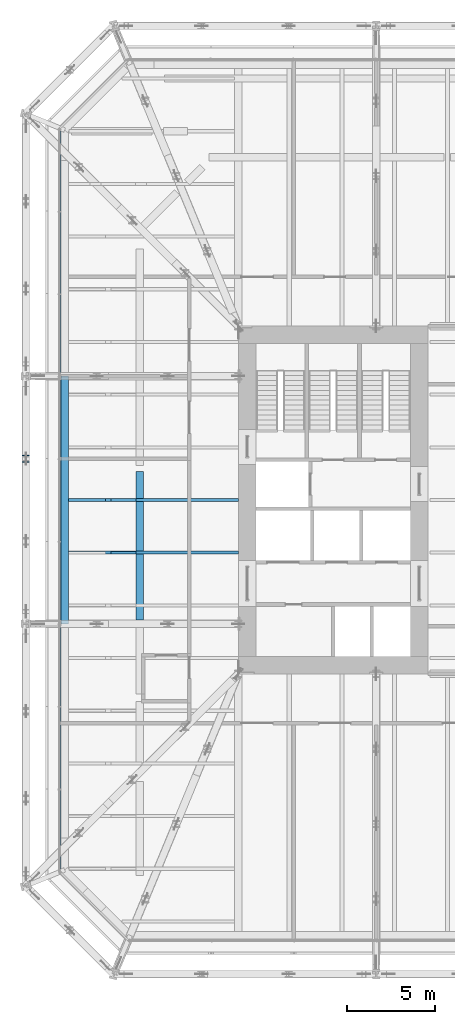
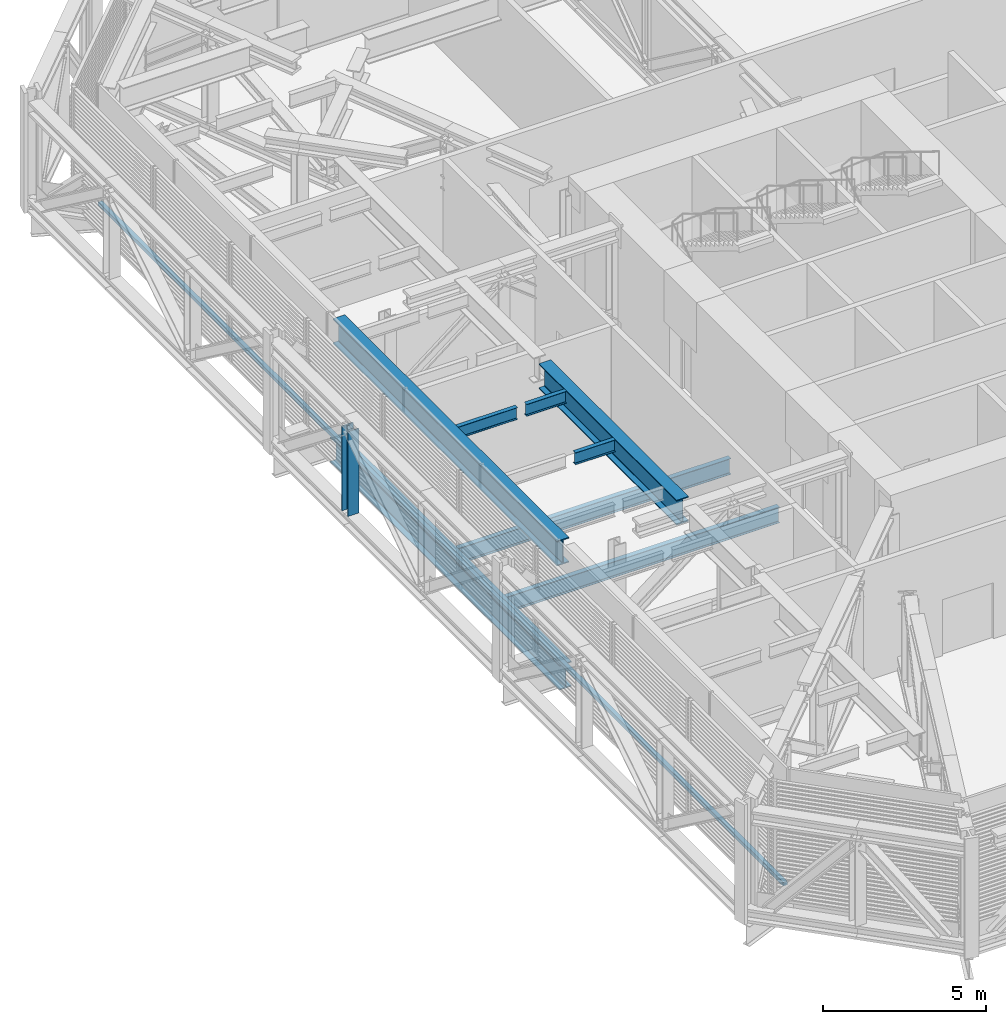
# One storey, part 7 of 33: 8 beams, 2 members, 1 element without a shape of its own.
"""IFC4 building model written with IfcOpenShell, lengths in metres."""

import ifcopenshell
import ifcopenshell.guid

model = None  # the IFC model being written
_history = None  # IfcOwnerHistory: only IFC2X3 demands one
_inside = {}  # id of a spatial element -> (the spatial element, [elements in it])
_under = {}  # id of a project, library or spatial element -> (it, [spatial elements below it])
_declared = {}  # id of a project -> (the project, [libraries it declares])
_typed = {}  # id of a type object -> (the type object, [elements of that type])
_made_of = {}  # id of a material, layer set ... -> (it, [elements and type objects made of it])


def new_model(schema):
    """Start an empty IFC model of exactly this schema.

    Asked for "IFC4X3", IfcOpenShell would pick the latest addendum, in which some entities
    have other attributes; the version numbers below select the first issue.
    IFC2X3 requires an IfcOwnerHistory on every rooted entity: one is made here for all.
    """
    global model, _history
    if schema == "IFC4X3":
        model = ifcopenshell.file(schema_version=(4, 3, 0, 0))
    else:
        model = ifcopenshell.file(schema=schema)
    _inside.clear()
    _under.clear()
    _declared.clear()
    _typed.clear()
    _made_of.clear()
    _history = None
    if model.schema == "IFC2X3":
        org = make("IfcOrganization", Name="unknown")
        user = make(
            "IfcPersonAndOrganization",
            ThePerson=make("IfcPerson", FamilyName="unknown"),
            TheOrganization=org,
        )
        app = make(
            "IfcApplication",
            ApplicationDeveloper=org,
            Version="unknown",
            ApplicationFullName="unknown",
            ApplicationIdentifier="unknown",
        )
        _history = make(
            "IfcOwnerHistory",
            OwningUser=user,
            OwningApplication=app,
            ChangeAction="ADDED",
            CreationDate=0,
        )
    return model


def make(cls, **values):
    """One entity of the class cls with the attributes given. An attribute that is None is left unset."""
    return model.create_entity(
        cls, **{name: value for name, value in values.items() if value is not None}
    )


def rooted(cls, **values):
    """An entity with a GlobalId (a new one), such as an element, a storey or a relation."""
    return make(cls, GlobalId=ifcopenshell.guid.new(), OwnerHistory=_history, **values)


def si_unit(unit_type, name, prefix=None):
    """IfcSIUnit, for example si_unit("LENGTHUNIT", "METRE", prefix="MILLI")."""
    return make("IfcSIUnit", UnitType=unit_type, Prefix=prefix, Name=name)


def assignment(units):
    """IfcUnitAssignment: the units of a project."""
    return None if units is None else make("IfcUnitAssignment", Units=units)


def point(xyz):
    """IfcCartesianPoint."""
    return None if xyz is None else make("IfcCartesianPoint", Coordinates=xyz)


def direction(xyz):
    """IfcDirection."""
    return None if xyz is None else make("IfcDirection", DirectionRatios=xyz)


def frame(location, z_axis=None, x_axis=None):
    """IfcAxis2Placement3D, a coordinate frame: its origin and axes. An axis left out is left unset."""
    return make(
        "IfcAxis2Placement3D",
        Location=point(location),
        Axis=direction(z_axis),
        RefDirection=direction(x_axis),
    )


def frame_2d(location, x_axis=None):
    """IfcAxis2Placement2D, a coordinate frame in the plane: its origin and x axis."""
    return make(
        "IfcAxis2Placement2D", Location=point(location), RefDirection=direction(x_axis)
    )


def origin():
    """The frame at (0, 0, 0) with its axes left unset."""
    return frame((0.0, 0.0, 0.0))


def origin_2d():
    """The frame at (0, 0) in the plane with its x axis left unset."""
    return frame_2d((0.0, 0.0))


def place(relative_to, where):
    """IfcLocalPlacement: puts the frame where relative to a parent placement (None: the world)."""
    return make(
        "IfcLocalPlacement", PlacementRelTo=relative_to, RelativePlacement=where
    )


def context(
    kind, dimensions, precision=None, world=None, true_north=None, identifier=None
):
    """IfcGeometricRepresentationContext, for example the 3D "Model" context."""
    return make(
        "IfcGeometricRepresentationContext",
        ContextIdentifier=identifier,
        ContextType=kind,
        CoordinateSpaceDimension=dimensions,
        Precision=precision,
        WorldCoordinateSystem=world,
        TrueNorth=true_north,
    )


def subcontext(parent, identifier, kind, view, scale=None):
    """IfcGeometricRepresentationSubContext, for example "Body" below "Model"."""
    return make(
        "IfcGeometricRepresentationSubContext",
        ContextIdentifier=identifier,
        ContextType=kind,
        ParentContext=parent,
        TargetScale=scale,
        TargetView=view,
    )


def project(units=None, contexts=None):
    """IfcProject with its units and contexts."""
    return rooted(
        "IfcProject",
        Name="project",
        RepresentationContexts=contexts,
        UnitsInContext=assignment(units),
    )


def spatial(cls, under=None, at=None, **own):
    """A site, building, storey or space (cls), placed at a placement, below another one or the project."""
    s = rooted(cls, ObjectPlacement=at, **own)
    if under is not None:
        _under.setdefault(under.id(), (under, []))[1].append(s)
    return s


def profile(cls, at=None, kind="AREA", **sizes):
    """A parametric profile (cls). Its sizes go by their IFC names, for example OverallWidth=200.0."""
    return make(cls, ProfileType=kind, Position=at, **sizes)


def rectangle(**sizes):
    """IfcRectangleProfileDef."""
    return profile("IfcRectangleProfileDef", **sizes)


def i_section(**sizes):
    """IfcIShapeProfileDef."""
    return profile("IfcIShapeProfileDef", **sizes)


def extrude(swept, where, along, depth):
    """IfcExtrudedAreaSolid: the profile swept, set in the frame where, extruded along a direction by depth."""
    return make(
        "IfcExtrudedAreaSolid",
        SweptArea=swept,
        Position=where,
        ExtrudedDirection=direction(along),
        Depth=depth,
    )


def shape(context_of_items, identifier, shape_type, items):
    """IfcShapeRepresentation: the items that make up one representation, for example the "Body"."""
    return make(
        "IfcShapeRepresentation",
        ContextOfItems=context_of_items,
        RepresentationIdentifier=identifier,
        RepresentationType=shape_type,
        Items=items,
    )


def material(Name=None, Category=None):
    """IfcMaterial."""
    return make("IfcMaterial", Name=Name, Category=Category)


def layer(
    of_material, thickness, ventilated=None, Name=None, Category=None, Priority=None
):
    """IfcMaterialLayer: one layer of a wall or slab, of a material (None: an air gap)."""
    return make(
        "IfcMaterialLayer",
        Material=of_material,
        LayerThickness=thickness,
        IsVentilated=ventilated,
        Name=Name,
        Category=Category,
        Priority=Priority,
    )


def layer_set(layers, Name=None):
    """IfcMaterialLayerSet."""
    return make("IfcMaterialLayerSet", MaterialLayers=layers, LayerSetName=Name)


def material_profile(
    of_material, cross_section, Name=None, Category=None, Priority=None
):
    """IfcMaterialProfile: a cross section and its material."""
    return make(
        "IfcMaterialProfile",
        Name=Name,
        Material=of_material,
        Profile=cross_section,
        Priority=Priority,
        Category=Category,
    )


def profile_set(profiles, Name=None, composite=None):
    """IfcMaterialProfileSet."""
    return make(
        "IfcMaterialProfileSet",
        Name=Name,
        MaterialProfiles=profiles,
        CompositeProfile=composite,
    )


def made_of(thing, what):
    """Note that an element or type object is made of a material, layer set ...; save() writes the relation."""
    if what is not None:
        _made_of.setdefault(what.id(), (what, []))[1].append(thing)
    return thing


def type_object(cls, material=None, **own):
    """A type object (cls), such as IfcWallType, which elements share."""
    return made_of(rooted(cls, **own), material)


def element(
    cls,
    number,
    at=None,
    inside=None,
    cuts=None,
    type_object=None,
    material=None,
    context=None,
    identifier="Body",
    shape_type=None,
    held_by="IfcProductDefinitionShape",
    body=None,
    shapes=None,
    **own,
):
    """One element of the class cls, such as IfcWall. Its Tag is "e" and its number.

    at: its placement. inside: the storey or other place that contains it. cuts: it is an
    opening in that element (IfcRelVoidsElement). A single representation is given by context,
    identifier, shape_type and body (its items); several are given by shapes. held_by: the class
    of the entity that holds the representations. save() writes the other relations.
    """
    e = rooted(cls, Tag="e%d" % number, ObjectPlacement=at, **own)
    if body is not None:
        shapes = [shape(context, identifier, shape_type, body)]
    if shapes is not None:
        e.Representation = make(held_by, Representations=shapes)
    if inside is not None:
        _inside.setdefault(inside.id(), (inside, []))[1].append(e)
    if cuts is not None:
        rooted(
            "IfcRelVoidsElement", RelatingBuildingElement=cuts, RelatedOpeningElement=e
        )
    if type_object is not None:
        _typed.setdefault(type_object.id(), (type_object, []))[1].append(e)
    return made_of(e, material)


def aggregate(whole, parts):
    """IfcRelAggregates: a whole, such as a stair, and the parts it consists of."""
    return rooted("IfcRelAggregates", RelatingObject=whole, RelatedObjects=parts)


def save(model, path):
    """Write the relations noted so far, then the file.

    IfcRelAggregates (storeys below a building ...), IfcRelContainedInSpatialStructure (elements
    in a storey), IfcRelDefinesByType, IfcRelAssociatesMaterial and IfcRelDeclares: one each for
    every whole, place, type object, material and project.
    """
    for whole, parts in _under.values():
        aggregate(whole, parts)
    for where, things in _inside.values():
        rooted(
            "IfcRelContainedInSpatialStructure",
            RelatedElements=things,
            RelatingStructure=where,
        )
    for kind, things in _typed.values():
        rooted("IfcRelDefinesByType", RelatedObjects=things, RelatingType=kind)
    for what, things in _made_of.values():
        rooted("IfcRelAssociatesMaterial", RelatedObjects=things, RelatingMaterial=what)
    for by, libraries in _declared.values():
        rooted("IfcRelDeclares", RelatingContext=by, RelatedDefinitions=libraries)
    model.write(path)


model = new_model("IFC4")

# Units and contexts
model_context = context("Model", 3, precision=1e-05, world=origin(), true_north=direction((0.0, 1.0)))
body_context = subcontext(model_context, "Body", "Model", "MODEL_VIEW")
ifc_project = project(units=[si_unit("LENGTHUNIT", "METRE"), si_unit("AREAUNIT", "SQUARE_METRE"), si_unit("VOLUMEUNIT", "CUBIC_METRE"), si_unit("PLANEANGLEUNIT", "RADIAN"), si_unit("MASSUNIT", "GRAM", prefix="KILO")], contexts=[model_context])

# Site, building, storey
site_placement = place(None, origin())
site = spatial("IfcSite", under=ifc_project, at=site_placement, CompositionType="ELEMENT")
building_placement = place(site_placement, origin())
building = spatial("IfcBuilding", under=site, at=building_placement, Name="Millrace Tower", CompositionType="ELEMENT")
storey_placement = place(building_placement, frame((0.0, 0.0, 64.10009765625)))
storey = spatial("IfcBuildingStorey", under=building, at=storey_placement, Name="L14", CompositionType="ELEMENT", Elevation=64.10009765625)

# Member
ifc_material_1 = material(Name="Steel ASTM A992 Grade 50", Category="steel")
ifc_material_profile_1 = material_profile(ifc_material_1, i_section(OverallWidth=0.398681640625, OverallDepth=0.393798828125, WebThickness=0.022705078125, FlangeThickness=0.03662109375, FilletRadius=0.01513671875, at=origin_2d()))
ifc_profile_set_1 = profile_set([ifc_material_profile_1], Name="Steel ASTM A992 Grade 50")
member_type_1 = type_object("IfcMemberType", Name="Belt truss post W14x193", PredefinedType="POST", material=ifc_profile_set_1)
member_1_placement = place(storey_placement, frame((-27.0, 2.35009765625, 0.512939453125), z_axis=(0.0, 0.0, 1.0), x_axis=(1.0, 0.0, 0.0)))
element("IfcMember", 1, at=member_1_placement, inside=storey, type_object=member_type_1, Name="BLT-L14-R15-V01", PredefinedType="POST", context=body_context, shape_type="SweptSolid", body=[
    extrude(i_section(OverallWidth=0.398681640625, OverallDepth=0.393798828125, WebThickness=0.022705078125, FlangeThickness=0.03662109375, FilletRadius=0.01513671875, at=origin_2d()), origin(), (0.0, 0.0, 1.0), 3.173828125),
])

# Curtain wall, member
ifc_material_2 = material(Name="Aluminium and glass", Category="aluminium")
ifc_layer = layer(ifc_material_2, 0.14990234375)
ifc_layer_set = layer_set([ifc_layer], Name="Aluminium and glass")
curtain_wall_type = type_object("IfcCurtainWallType", Name="CW-5 truss and plant storey louvred infill", PredefinedType="NOTDEFINED", material=ifc_layer_set)
curtain_wall_placement = place(storey_placement, origin())
curtain_wall = element("IfcCurtainWall", 2, at=curtain_wall_placement, inside=storey, type_object=curtain_wall_type, Name="Curtain wall A-F08 L14", PredefinedType="NOTDEFINED")
ifc_material_3 = material(Name="Aluminium", Category="aluminium")
ifc_material_profile_2 = material_profile(ifc_material_3, rectangle(XDim=0.14990234375, YDim=0.139892578125, at=origin_2d()))
ifc_profile_set_2 = profile_set([ifc_material_profile_2], Name="Aluminium")
member_type_2 = type_object("IfcMemberType", Name="CW-5 truss and plant storey louvred infill transom", PredefinedType="USERDEFINED", material=ifc_profile_set_2)
member_2_placement = place(storey_placement, frame((-25.074951171875, 21.050048828125, 0.06982421875), z_axis=(0.0, -1.0, 0.0), x_axis=(1.0, 0.0, 0.0)))
member_2 = element("IfcMember", 3, at=member_2_placement, type_object=member_type_2, Name="CW5 transom A-F08.1", ObjectType="TRANSOM", PredefinedType="USERDEFINED", context=body_context, shape_type="SweptSolid", body=[
    extrude(rectangle(XDim=0.14990234375, YDim=0.139892578125, at=origin_2d()), origin(), (0.0, 0.0, 1.0), 42.10009765625),
])
aggregate(curtain_wall, [member_2])

# Beams
ifc_material_4 = material(Name="Steel ASTM A992 Grade 50", Category="steel")
ifc_material_profile_3 = material_profile(ifc_material_4, i_section(OverallWidth=0.15234375, OverallDepth=0.449462890625, WebThickness=0.007568359375, FlangeThickness=0.0107421875, FilletRadius=0.01025390625, at=origin_2d()))
ifc_profile_set_3 = profile_set([ifc_material_profile_3], Name="Steel ASTM A992 Grade 50")
beam_type_1 = type_object("IfcBeamType", Name="Floor beam W18x35", PredefinedType="JOIST", material=ifc_profile_set_3)
beam_1_placement = place(storey_placement, frame((-22.138427734375, -3.0, 4.0751953125), z_axis=(1.0, 0.0, 0.0), x_axis=(0.0, 1.0, 0.0)))
element("IfcBeam", 4, at=beam_1_placement, inside=storey, type_object=beam_type_1, Name="BM-A-L14-R1-S008-b", PredefinedType="JOIST", context=body_context, shape_type="SweptSolid", body=[
    extrude(i_section(OverallWidth=0.15234375, OverallDepth=0.449462890625, WebThickness=0.007568359375, FlangeThickness=0.0107421875, FilletRadius=0.01025390625, at=origin_2d()), origin(), (0.0, 0.0, 1.0), 1.416748046875),
])
beam_2_placement = place(storey_placement, frame((-24.578369140625, 0.0, 4.0751953125), z_axis=(1.0, 0.0, 0.0), x_axis=(0.0, 1.0, 0.0)))
element("IfcBeam", 5, at=beam_2_placement, inside=storey, type_object=beam_type_1, Name="BM-A-L14-R1-S009-a", PredefinedType="JOIST", context=body_context, shape_type="SweptSolid", body=[
    extrude(i_section(OverallWidth=0.15234375, OverallDepth=0.449462890625, WebThickness=0.007568359375, FlangeThickness=0.0107421875, FilletRadius=0.01025390625, at=origin_2d()), origin(), (0.0, 0.0, 1.0), 2.116943359375),
])
beam_3_placement = place(storey_placement, frame((-22.138427734375, 0.0, 4.0751953125), z_axis=(1.0, 0.0, 0.0), x_axis=(0.0, 1.0, 0.0)))
element("IfcBeam", 6, at=beam_3_placement, inside=storey, type_object=beam_type_1, Name="BM-A-L14-R1-S009-b", PredefinedType="JOIST", context=body_context, shape_type="SweptSolid", body=[
    extrude(i_section(OverallWidth=0.15234375, OverallDepth=0.449462890625, WebThickness=0.007568359375, FlangeThickness=0.0107421875, FilletRadius=0.01025390625, at=origin_2d()), origin(), (0.0, 0.0, 1.0), 1.416748046875),
])
ifc_material_5 = material(Name="Steel ASTM A992 Grade 50", Category="steel")
ifc_material_profile_4 = material_profile(ifc_material_5, i_section(OverallWidth=0.177978515625, OverallDepth=0.599365234375, WebThickness=0.010009765625, FlangeThickness=0.012939453125, FilletRadius=0.012939453125, at=origin_2d()))
ifc_profile_set_4 = profile_set([ifc_material_profile_4], Name="Steel ASTM A992 Grade 50")
beam_type_2 = type_object("IfcBeamType", Name="Floor beam W24x55", PredefinedType="JOIST", material=ifc_profile_set_4)
for number, where, z_axis, x_axis, name in (
    (7, (-24.578369140625, -3.0, -0.5498046875), (1.0, 0.0, 0.0), (0.0, 1.0, 0.0), "BM-A-L14-S1-S018"),
    (8, (-24.578369140625, 0.0, -0.5498046875), (1.0, 0.0, 0.0), (0.0, 1.0, 0.0), "BM-A-L14-S1-S021"),
):
    element("IfcBeam", number, at=place(storey_placement, frame(where, z_axis=z_axis, x_axis=x_axis)), inside=storey, type_object=beam_type_2, Name=name, PredefinedType="JOIST", context=body_context, shape_type="SweptSolid", body=[
        extrude(i_section(OverallWidth=0.177978515625, OverallDepth=0.599365234375, WebThickness=0.010009765625, FlangeThickness=0.012939453125, FilletRadius=0.012939453125, at=origin_2d()), origin(), (0.0, 0.0, 1.0), 9.678466796875),
    ])
ifc_material_6 = material(Name="Steel ASTM A992 Grade 50", Category="steel")
ifc_material_profile_5 = material_profile(ifc_material_6, i_section(OverallWidth=0.421630859375, OverallDepth=0.937255859375, WebThickness=0.021240234375, FlangeThickness=0.03662109375, FilletRadius=0.024169921875, at=origin_2d()))
ifc_profile_set_5 = profile_set([ifc_material_profile_5], Name="Steel ASTM A992 Grade 50")
beam_type_3 = type_object("IfcBeamType", Name="Ring beam medium span W36x262", PredefinedType="SPANDREL", material=ifc_profile_set_5)
beam_4_placement = place(storey_placement, frame((-24.7890625, -7.050048828125, -0.71875), z_axis=(0.0, 1.0, 0.0), x_axis=(-1.0, 0.0, 0.0)))
element("IfcBeam", 9, at=beam_4_placement, inside=storey, type_object=beam_type_3, Name="RNG-A-L14-S1-02", PredefinedType="SPANDREL", context=body_context, shape_type="SweptSolid", body=[
    extrude(i_section(OverallWidth=0.421630859375, OverallDepth=0.937255859375, WebThickness=0.021240234375, FlangeThickness=0.03662109375, FilletRadius=0.024169921875, at=origin_2d()), origin(), (0.0, 0.0, 1.0), 14.10009765625),
])
beam_5_placement = place(storey_placement, frame((-24.7890625, -6.888671875, 3.831298828125), z_axis=(0.0, 1.0, 0.0), x_axis=(-1.0, 0.0, 0.0)))
element("IfcBeam", 10, at=beam_5_placement, inside=storey, type_object=beam_type_3, Name="RNG-A-L14-R1-03", PredefinedType="SPANDREL", context=body_context, shape_type="SweptSolid", body=[
    extrude(i_section(OverallWidth=0.421630859375, OverallDepth=0.937255859375, WebThickness=0.021240234375, FlangeThickness=0.03662109375, FilletRadius=0.024169921875, at=origin_2d()), origin(), (0.0, 0.0, 1.0), 13.776123046875),
])
ifc_material_7 = material(Name="Steel ASTM A992 Grade 50", Category="steel")
ifc_material_profile_6 = material_profile(ifc_material_7, i_section(OverallWidth=0.421630859375, OverallDepth=0.937255859375, WebThickness=0.021240234375, FlangeThickness=0.03662109375, FilletRadius=0.024169921875, at=origin_2d()))
ifc_profile_set_6 = profile_set([ifc_material_profile_6], Name="Steel ASTM A992 Grade 50")
beam_type_4 = type_object("IfcBeamType", Name="Ring beam short span W36x262", PredefinedType="SPANDREL", material=ifc_profile_set_6)
beam_6_placement = place(storey_placement, frame((-20.5107421875, 1.635986328125, 3.831298828125), z_axis=(0.0, -1.0, 0.0), x_axis=(1.0, 0.0, 0.0)))
element("IfcBeam", 11, at=beam_6_placement, inside=storey, type_object=beam_type_4, Name="RNG-A-L14-R1-13-a-b-a-b", PredefinedType="SPANDREL", context=body_context, shape_type="SweptSolid", body=[
    extrude(i_section(OverallWidth=0.421630859375, OverallDepth=0.937255859375, WebThickness=0.021240234375, FlangeThickness=0.03662109375, FilletRadius=0.024169921875, at=origin_2d()), origin(), (0.0, 0.0, 1.0), 8.46484375),
])

save(model, "model.ifc")
